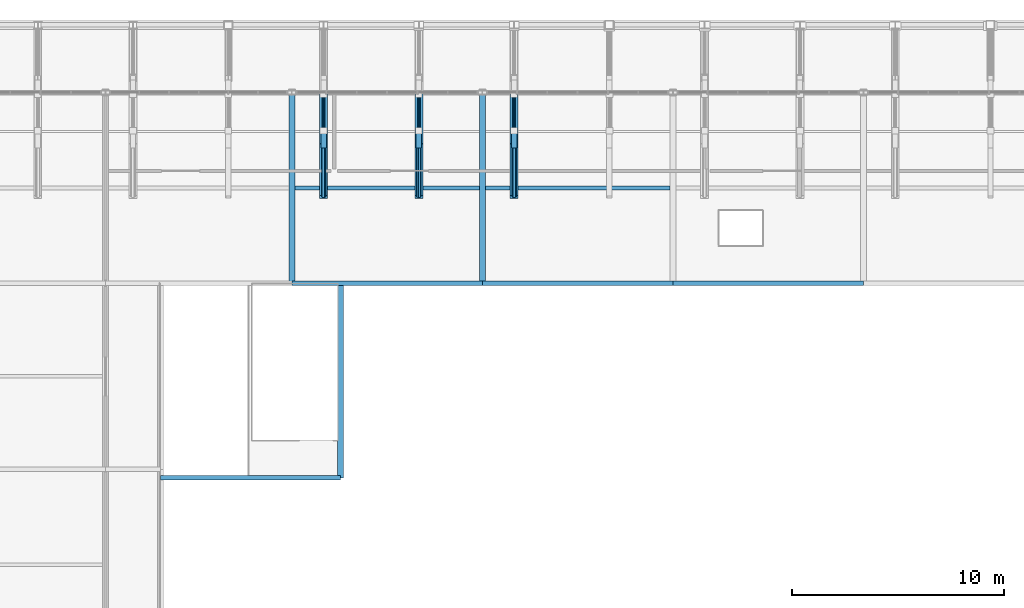
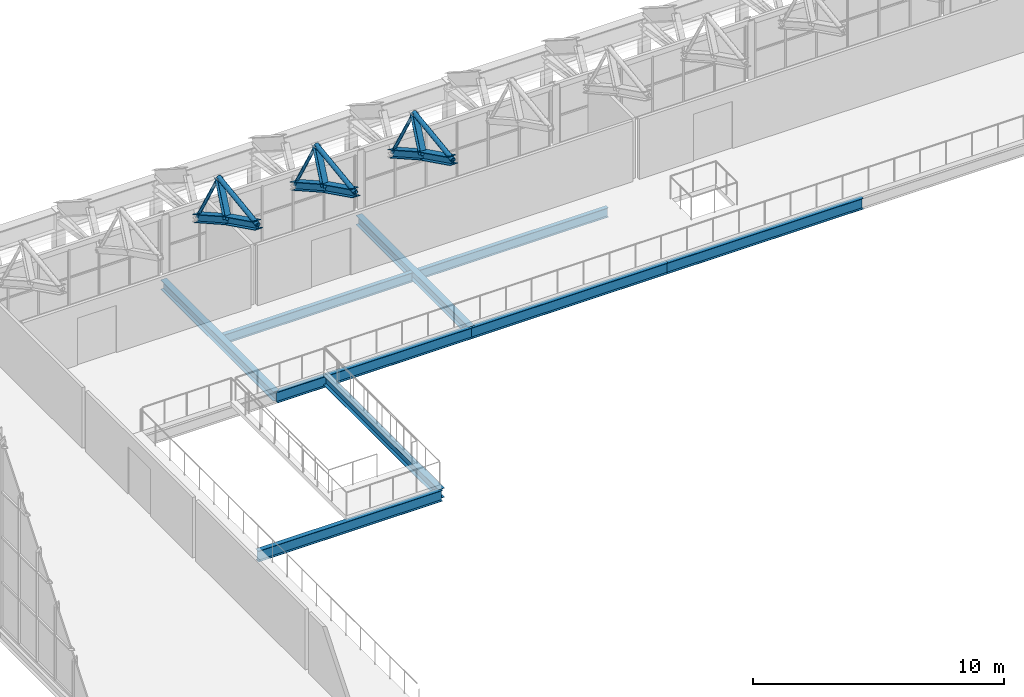
# One storey, part 65 of 134: 15 members, 9 beams.
"""IFC4 building model written with IfcOpenShell, lengths in metres."""

from ifc_helpers import new_model, si_unit, direction, frame, origin, origin_2d, place, context, subcontext, project, spatial, hollow_circle, i_section, extrude, material, material_profile, profile_set, type_object, element, save


model = new_model("IFC4")

# Units and contexts
model_context = context("Model", 3, precision=1e-05, world=origin(), true_north=direction((0.0, 1.0)))
body_context = subcontext(model_context, "Body", "Model", "MODEL_VIEW")
ifc_project = project(units=[si_unit("LENGTHUNIT", "METRE"), si_unit("AREAUNIT", "SQUARE_METRE"), si_unit("VOLUMEUNIT", "CUBIC_METRE"), si_unit("PLANEANGLEUNIT", "RADIAN"), si_unit("MASSUNIT", "GRAM", prefix="KILO")], contexts=[model_context])

# Site, building, storey
site_placement = place(None, origin())
site = spatial("IfcSite", under=ifc_project, at=site_placement, CompositionType="ELEMENT")
building_placement = place(site_placement, origin())
building = spatial("IfcBuilding", under=site, at=building_placement, Name="Cazmaro Siding Exhibition Halls", CompositionType="ELEMENT")
storey_placement = place(building_placement, frame((0.0, 0.0, 12.0)))
storey = spatial("IfcBuildingStorey", under=building, at=storey_placement, Name="L02", CompositionType="ELEMENT", Elevation=12.0)

# Beams
ifc_material_1 = material(Name="Steel ASTM A992 Grade 50", Category="steel")
ifc_material_profile_1 = material_profile(ifc_material_1, i_section(OverallWidth=0.2099609375, OverallDepth=0.535888671875, WebThickness=0.010986328125, FlangeThickness=0.01708984375, at=origin_2d()), Name="W21X68")
ifc_profile_set_1 = profile_set([ifc_material_profile_1], Name="Steel ASTM A992 Grade 50")
beam_type_1 = type_object("IfcBeamType", Name="B-02", PredefinedType="BEAM", material=ifc_profile_set_1)
for number, where, z_axis, x_axis, name in (
    (1, (66.0, 111.800048828125, -0.488037109375), (1.0, 0.0, 0.0), (0.0, 1.0, 0.0), "Beam B-02 BM-0404"),
    (2, (75.0, 111.800048828125, -0.488037109375), (1.0, 0.0, 0.0), (0.0, 1.0, 0.0), "Beam B-02 BM-0407"),
    (3, (84.0, 111.800048828125, -0.488037109375), (1.0, 0.0, 0.0), (0.0, 1.0, 0.0), "Beam B-02 BM-0410"),
):
    element("IfcBeam", number, at=place(storey_placement, frame(where, z_axis=z_axis, x_axis=x_axis)), inside=storey, type_object=beam_type_1, Name=name, PredefinedType="BEAM", context=body_context, shape_type="SweptSolid", body=[
        extrude(i_section(OverallWidth=0.2099609375, OverallDepth=0.535888671875, WebThickness=0.010986328125, FlangeThickness=0.01708984375, at=origin_2d()), origin(), (0.0, 0.0, 1.0), 9.0),
    ])
beam_1_placement = place(storey_placement, frame((59.800048828125, 102.60009765625, -0.488037109375), z_axis=(1.0, 0.0, 0.0), x_axis=(0.0, 1.0, 0.0)))
element("IfcBeam", 4, at=beam_1_placement, inside=storey, type_object=beam_type_1, Name="Beam B-02 BM-2509", PredefinedType="BEAM", context=body_context, shape_type="SweptSolid", body=[
    extrude(i_section(OverallWidth=0.2099609375, OverallDepth=0.535888671875, WebThickness=0.010986328125, FlangeThickness=0.01708984375, at=origin_2d()), origin(), (0.0, 0.0, 1.0), 8.5),
])
ifc_material_2 = material(Name="Steel ASTM A992 Grade 50", Category="steel")
ifc_material_profile_2 = material_profile(ifc_material_2, i_section(OverallWidth=0.279052734375, OverallDepth=0.4619140625, WebThickness=0.010986328125, FlangeThickness=0.01708984375, at=origin_2d()), Name="W18X76")
ifc_profile_set_2 = profile_set([ifc_material_profile_2], Name="Steel ASTM A992 Grade 50")
beam_type_2 = type_object("IfcBeamType", Name="B-03", PredefinedType="BEAM", material=ifc_profile_set_2)
for number, where, z_axis, x_axis, name in (
    (5, (66.0, 111.800048828125, -0.450927734375), (0.0, 1.0, 0.0), (-1.0, 0.0, 0.0), "Beam B-03 BM-0439"),
    (6, (75.0, 111.800048828125, -0.450927734375), (0.0, 1.0, 0.0), (-1.0, 0.0, 0.0), "Beam B-03 BM-0440"),
):
    element("IfcBeam", number, at=place(storey_placement, frame(where, z_axis=z_axis, x_axis=x_axis)), inside=storey, type_object=beam_type_2, Name=name, PredefinedType="BEAM", context=body_context, shape_type="SweptSolid", body=[
        extrude(i_section(OverallWidth=0.279052734375, OverallDepth=0.4619140625, WebThickness=0.010986328125, FlangeThickness=0.01708984375, at=origin_2d()), origin(), (0.0, 0.0, 1.0), 9.0),
    ])
beam_2_placement = place(storey_placement, frame((68.300048828125, 102.60009765625, -0.450927734375), z_axis=(0.0, 1.0, 0.0), x_axis=(-1.0, 0.0, 0.0)))
element("IfcBeam", 7, at=beam_2_placement, inside=storey, type_object=beam_type_2, Name="Beam B-03 BM-2511", PredefinedType="BEAM", context=body_context, shape_type="SweptSolid", body=[
    extrude(i_section(OverallWidth=0.279052734375, OverallDepth=0.4619140625, WebThickness=0.010986328125, FlangeThickness=0.01708984375, at=origin_2d()), origin(), (0.0, 0.0, 1.0), 9.199951171875),
])
ifc_material_3 = material(Name="Steel ASTM A992 Grade 50", Category="steel")
ifc_material_profile_3 = material_profile(ifc_material_3, i_section(OverallWidth=0.19091796875, OverallDepth=0.45703125, WebThickness=0.009033203125, FlangeThickness=0.013916015625, at=origin_2d()), Name="W18X50")
ifc_profile_set_3 = profile_set([ifc_material_profile_3], Name="Steel ASTM A992 Grade 50")
beam_type_3 = type_object("IfcBeamType", Name="J-01", PredefinedType="JOIST", material=ifc_profile_set_3)
for number, where, z_axis, x_axis, name in (
    (8, (66.139892578125, 116.300048828125, -0.448974609375), (1.0, 0.0, 0.0), (0.0, 1.0, 0.0), "Beam J-01 BM-0406"),
    (9, (75.139892578125, 116.300048828125, -0.448974609375), (1.0, 0.0, 0.0), (0.0, 1.0, 0.0), "Beam J-01 BM-0409"),
):
    element("IfcBeam", number, at=place(storey_placement, frame(where, z_axis=z_axis, x_axis=x_axis)), inside=storey, type_object=beam_type_3, Name=name, PredefinedType="JOIST", context=body_context, shape_type="SweptSolid", body=[
        extrude(i_section(OverallWidth=0.19091796875, OverallDepth=0.45703125, WebThickness=0.009033203125, FlangeThickness=0.013916015625, at=origin_2d()), origin(), (0.0, 0.0, 1.0), 8.72021484375),
    ])

# Members
ifc_material_4 = material(Name="Steel ASTM A992 Grade 50", Category="steel")
ifc_material_profile_4 = material_profile(ifc_material_4, i_section(OverallWidth=0.37109375, OverallDepth=0.364013671875, WebThickness=0.012939453125, FlangeThickness=0.02197265625, at=origin_2d()), Name="W14X109")
ifc_profile_set_4 = profile_set([ifc_material_profile_4], Name="Steel ASTM A992 Grade 50")
member_type_1 = type_object("IfcMemberType", Name="TC-06", PredefinedType="CHORD", material=ifc_profile_set_4)
member_1_placement = place(storey_placement, frame((67.5, 115.868896484375, 4.87890625), z_axis=(0.0, 0.896077457924, -0.443897724033), x_axis=(-1.0, 0.0, 0.0)))
element("IfcMember", 10, at=member_1_placement, inside=storey, type_object=member_type_1, Name="Space frame barrel vault bottom chord TC-06 MEM-0350", PredefinedType="CHORD", context=body_context, shape_type="SweptSolid", body=[
    extrude(i_section(OverallWidth=0.37109375, OverallDepth=0.364013671875, WebThickness=0.012939453125, FlangeThickness=0.02197265625, at=origin_2d()), origin(), (0.0, 0.0, 1.0), 2.7119140625),
])
member_2_placement = place(storey_placement, frame((67.5, 118.299072265625, 3.675048828125), z_axis=(0.0, 0.871222319466, -0.490888653428), x_axis=(-1.0, 0.0, 0.0)))
element("IfcMember", 11, at=member_2_placement, inside=storey, type_object=member_type_1, Name="Space frame barrel vault bottom chord TC-06 MEM-0352", PredefinedType="CHORD", context=body_context, shape_type="SweptSolid", body=[
    extrude(i_section(OverallWidth=0.37109375, OverallDepth=0.364013671875, WebThickness=0.012939453125, FlangeThickness=0.02197265625, at=origin_2d()), origin(), (0.0, 0.0, 1.0), 2.7890625),
])
member_3_placement = place(storey_placement, frame((72.0, 115.868896484375, 4.87890625), z_axis=(0.0, 0.896077457924, -0.443897724033), x_axis=(-1.0, 0.0, 0.0)))
element("IfcMember", 12, at=member_3_placement, inside=storey, type_object=member_type_1, Name="Space frame barrel vault bottom chord TC-06 MEM-0421", PredefinedType="CHORD", context=body_context, shape_type="SweptSolid", body=[
    extrude(i_section(OverallWidth=0.37109375, OverallDepth=0.364013671875, WebThickness=0.012939453125, FlangeThickness=0.02197265625, at=origin_2d()), origin(), (0.0, 0.0, 1.0), 2.7119140625),
])
member_4_placement = place(storey_placement, frame((72.0, 118.299072265625, 3.675048828125), z_axis=(0.0, 0.871222319466, -0.490888653428), x_axis=(-1.0, 0.0, 0.0)))
element("IfcMember", 13, at=member_4_placement, inside=storey, type_object=member_type_1, Name="Space frame barrel vault bottom chord TC-06 MEM-0423", PredefinedType="CHORD", context=body_context, shape_type="SweptSolid", body=[
    extrude(i_section(OverallWidth=0.37109375, OverallDepth=0.364013671875, WebThickness=0.012939453125, FlangeThickness=0.02197265625, at=origin_2d()), origin(), (0.0, 0.0, 1.0), 2.7890625),
])
member_5_placement = place(storey_placement, frame((76.5, 115.868896484375, 4.87890625), z_axis=(0.0, 0.896077457924, -0.443897724033), x_axis=(-1.0, 0.0, 0.0)))
element("IfcMember", 14, at=member_5_placement, inside=storey, type_object=member_type_1, Name="Space frame barrel vault bottom chord TC-06 MEM-0492", PredefinedType="CHORD", context=body_context, shape_type="SweptSolid", body=[
    extrude(i_section(OverallWidth=0.37109375, OverallDepth=0.364013671875, WebThickness=0.012939453125, FlangeThickness=0.02197265625, at=origin_2d()), origin(), (0.0, 0.0, 1.0), 2.7119140625),
])
member_6_placement = place(storey_placement, frame((76.5, 118.299072265625, 3.675048828125), z_axis=(0.0, 0.871222319466, -0.490888653428), x_axis=(-1.0, 0.0, 0.0)))
element("IfcMember", 15, at=member_6_placement, inside=storey, type_object=member_type_1, Name="Space frame barrel vault bottom chord TC-06 MEM-0494", PredefinedType="CHORD", context=body_context, shape_type="SweptSolid", body=[
    extrude(i_section(OverallWidth=0.37109375, OverallDepth=0.364013671875, WebThickness=0.012939453125, FlangeThickness=0.02197265625, at=origin_2d()), origin(), (0.0, 0.0, 1.0), 2.7890625),
])
ifc_material_5 = material(Name="Steel ASTM A992 Grade 50", Category="steel")
ifc_material_profile_5 = material_profile(ifc_material_5, i_section(OverallWidth=0.25390625, OverallDepth=0.25390625, WebThickness=0.009033203125, FlangeThickness=0.013916015625, at=origin_2d()), Name="W10X49")
ifc_profile_set_5 = profile_set([ifc_material_profile_5], Name="Steel ASTM A992 Grade 50")
member_type_2 = type_object("IfcMemberType", Name="TP-04", PredefinedType="POST", material=ifc_profile_set_5)
for number, where, z_axis, x_axis, name in (
    (16, (67.5, 118.299072265625, 3.675048828125), (0.0, 0.395865434272, 0.918308530913), (-1.0, 0.0, 0.0), "Space frame barrel vault post TP-04 MEM-0377"),
    (17, (72.0, 118.299072265625, 3.675048828125), (0.0, 0.395865434272, 0.918308530913), (-1.0, 0.0, 0.0), "Space frame barrel vault post TP-04 MEM-0448"),
    (18, (76.5, 118.299072265625, 3.675048828125), (0.0, 0.395865434272, 0.918308530913), (-1.0, 0.0, 0.0), "Space frame barrel vault post TP-04 MEM-0519"),
):
    element("IfcMember", number, at=place(storey_placement, frame(where, z_axis=z_axis, x_axis=x_axis)), inside=storey, type_object=member_type_2, Name=name, PredefinedType="POST", context=body_context, shape_type="SweptSolid", body=[
        extrude(i_section(OverallWidth=0.25390625, OverallDepth=0.25390625, WebThickness=0.009033203125, FlangeThickness=0.013916015625, at=origin_2d()), origin(), (0.0, 0.0, 1.0), 1.7705078125),
    ])
ifc_material_6 = material(Name="Steel ASTM A500 Grade C", Category="steel")
ifc_material_profile_6 = material_profile(ifc_material_6, hollow_circle(Radius=0.109619140625, WallThickness=0.012939453125, at=origin_2d()), Name="PIPE8XS")
ifc_profile_set_6 = profile_set([ifc_material_profile_6], Name="Steel ASTM A500 Grade C")
member_type_3 = type_object("IfcMemberType", Name="WB-01", PredefinedType="BRACE", material=ifc_profile_set_6)
for number, where, z_axis, x_axis, name in (
    (19, (67.5, 115.868896484375, 4.87890625), (0.0, 0.991034510477, 0.133606134005), (-1.0, 0.0, 0.0), "Space frame barrel vault diagonal WB-01 MEM-0351"),
    (20, (72.0, 115.868896484375, 4.87890625), (0.0, 0.991034510477, 0.133606134005), (-1.0, 0.0, 0.0), "Space frame barrel vault diagonal WB-01 MEM-0422"),
    (21, (76.5, 115.868896484375, 4.87890625), (0.0, 0.991034510477, 0.133606134005), (-1.0, 0.0, 0.0), "Space frame barrel vault diagonal WB-01 MEM-0493"),
):
    element("IfcMember", number, at=place(storey_placement, frame(where, z_axis=z_axis, x_axis=x_axis)), inside=storey, type_object=member_type_3, Name=name, PredefinedType="BRACE", context=body_context, shape_type="SweptSolid", body=[
        extrude(hollow_circle(Radius=0.109619140625, WallThickness=0.012939453125, at=origin_2d()), origin(), (0.0, 0.0, 1.0), 3.159423828125),
    ])
ifc_material_7 = material(Name="Steel ASTM A500 Grade C", Category="steel")
ifc_material_profile_7 = material_profile(ifc_material_7, hollow_circle(Radius=0.070556640625, WallThickness=0.01904296875, at=origin_2d()), Name="PIPE5XXS")
ifc_profile_set_7 = profile_set([ifc_material_profile_7], Name="Steel ASTM A500 Grade C")
member_type_4 = type_object("IfcMemberType", Name="WB-07", PredefinedType="BRACE", material=ifc_profile_set_7)
for number, where, z_axis, x_axis, name in (
    (22, (67.5, 119.0, 5.301025390625), (0.0, 0.499950595228, -0.866053925764), (-1.0, 0.0, 0.0), "Space frame barrel vault diagonal WB-07 MEM-0353"),
    (23, (72.0, 119.0, 5.301025390625), (0.0, 0.499950595228, -0.866053925764), (-1.0, 0.0, 0.0), "Space frame barrel vault diagonal WB-07 MEM-0424"),
    (24, (76.5, 119.0, 5.301025390625), (0.0, 0.499950595228, -0.866053925764), (-1.0, 0.0, 0.0), "Space frame barrel vault diagonal WB-07 MEM-0495"),
):
    element("IfcMember", number, at=place(storey_placement, frame(where, z_axis=z_axis, x_axis=x_axis)), inside=storey, type_object=member_type_4, Name=name, PredefinedType="BRACE", context=body_context, shape_type="SweptSolid", body=[
        extrude(hollow_circle(Radius=0.070556640625, WallThickness=0.01904296875, at=origin_2d()), origin(), (0.0, 0.0, 1.0), 3.458251953125),
    ])

save(model, "model.ifc")
